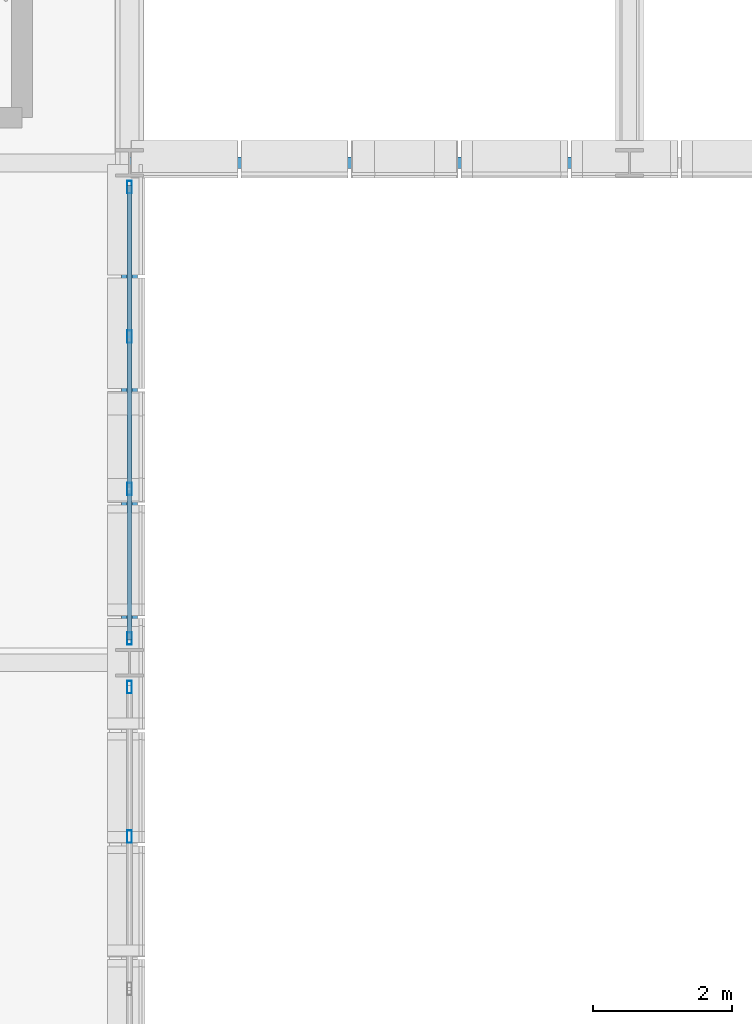
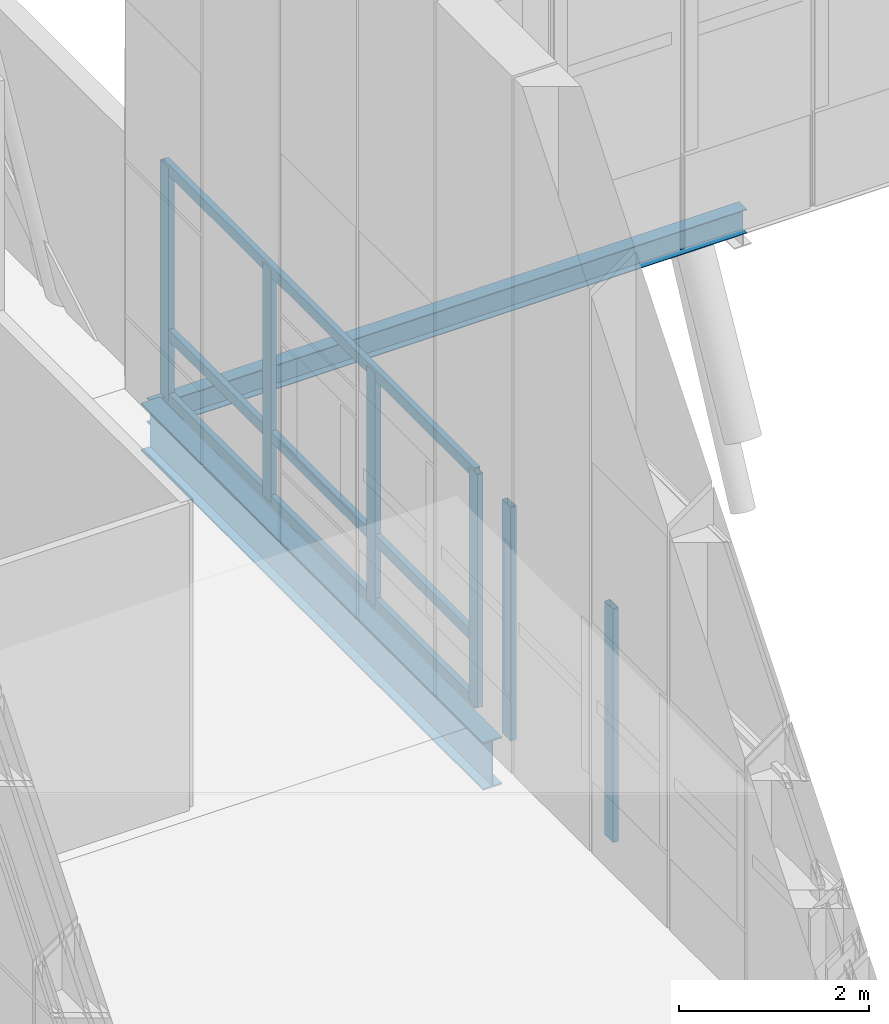
# One storey, part 22 of 144: 9 members, 2 beams, 2 elements without a shape of their own.
"""IFC4 building model written with IfcOpenShell, lengths in metres."""

import ifcopenshell
import ifcopenshell.guid

model = None  # the IFC model being written
_history = None  # IfcOwnerHistory: only IFC2X3 demands one
_inside = {}  # id of a spatial element -> (the spatial element, [elements in it])
_under = {}  # id of a project, library or spatial element -> (it, [spatial elements below it])
_declared = {}  # id of a project -> (the project, [libraries it declares])
_typed = {}  # id of a type object -> (the type object, [elements of that type])
_made_of = {}  # id of a material, layer set ... -> (it, [elements and type objects made of it])


def new_model(schema):
    """Start an empty IFC model of exactly this schema.

    Asked for "IFC4X3", IfcOpenShell would pick the latest addendum, in which some entities
    have other attributes; the version numbers below select the first issue.
    IFC2X3 requires an IfcOwnerHistory on every rooted entity: one is made here for all.
    """
    global model, _history
    if schema == "IFC4X3":
        model = ifcopenshell.file(schema_version=(4, 3, 0, 0))
    else:
        model = ifcopenshell.file(schema=schema)
    _inside.clear()
    _under.clear()
    _declared.clear()
    _typed.clear()
    _made_of.clear()
    _history = None
    if model.schema == "IFC2X3":
        org = make("IfcOrganization", Name="unknown")
        user = make(
            "IfcPersonAndOrganization",
            ThePerson=make("IfcPerson", FamilyName="unknown"),
            TheOrganization=org,
        )
        app = make(
            "IfcApplication",
            ApplicationDeveloper=org,
            Version="unknown",
            ApplicationFullName="unknown",
            ApplicationIdentifier="unknown",
        )
        _history = make(
            "IfcOwnerHistory",
            OwningUser=user,
            OwningApplication=app,
            ChangeAction="ADDED",
            CreationDate=0,
        )
    return model


def make(cls, **values):
    """One entity of the class cls with the attributes given. An attribute that is None is left unset."""
    return model.create_entity(
        cls, **{name: value for name, value in values.items() if value is not None}
    )


def rooted(cls, **values):
    """An entity with a GlobalId (a new one), such as an element, a storey or a relation."""
    return make(cls, GlobalId=ifcopenshell.guid.new(), OwnerHistory=_history, **values)


def si_unit(unit_type, name, prefix=None):
    """IfcSIUnit, for example si_unit("LENGTHUNIT", "METRE", prefix="MILLI")."""
    return make("IfcSIUnit", UnitType=unit_type, Prefix=prefix, Name=name)


def assignment(units):
    """IfcUnitAssignment: the units of a project."""
    return None if units is None else make("IfcUnitAssignment", Units=units)


def point(xyz):
    """IfcCartesianPoint."""
    return None if xyz is None else make("IfcCartesianPoint", Coordinates=xyz)


def direction(xyz):
    """IfcDirection."""
    return None if xyz is None else make("IfcDirection", DirectionRatios=xyz)


def frame(location, z_axis=None, x_axis=None):
    """IfcAxis2Placement3D, a coordinate frame: its origin and axes. An axis left out is left unset."""
    return make(
        "IfcAxis2Placement3D",
        Location=point(location),
        Axis=direction(z_axis),
        RefDirection=direction(x_axis),
    )


def frame_2d(location, x_axis=None):
    """IfcAxis2Placement2D, a coordinate frame in the plane: its origin and x axis."""
    return make(
        "IfcAxis2Placement2D", Location=point(location), RefDirection=direction(x_axis)
    )


def origin():
    """The frame at (0, 0, 0) with its axes left unset."""
    return frame((0.0, 0.0, 0.0))


def origin_2d():
    """The frame at (0, 0) in the plane with its x axis left unset."""
    return frame_2d((0.0, 0.0))


def place(relative_to, where):
    """IfcLocalPlacement: puts the frame where relative to a parent placement (None: the world)."""
    return make(
        "IfcLocalPlacement", PlacementRelTo=relative_to, RelativePlacement=where
    )


def context(
    kind, dimensions, precision=None, world=None, true_north=None, identifier=None
):
    """IfcGeometricRepresentationContext, for example the 3D "Model" context."""
    return make(
        "IfcGeometricRepresentationContext",
        ContextIdentifier=identifier,
        ContextType=kind,
        CoordinateSpaceDimension=dimensions,
        Precision=precision,
        WorldCoordinateSystem=world,
        TrueNorth=true_north,
    )


def subcontext(parent, identifier, kind, view, scale=None):
    """IfcGeometricRepresentationSubContext, for example "Body" below "Model"."""
    return make(
        "IfcGeometricRepresentationSubContext",
        ContextIdentifier=identifier,
        ContextType=kind,
        ParentContext=parent,
        TargetScale=scale,
        TargetView=view,
    )


def project(units=None, contexts=None):
    """IfcProject with its units and contexts."""
    return rooted(
        "IfcProject",
        Name="project",
        RepresentationContexts=contexts,
        UnitsInContext=assignment(units),
    )


def spatial(cls, under=None, at=None, **own):
    """A site, building, storey or space (cls), placed at a placement, below another one or the project."""
    s = rooted(cls, ObjectPlacement=at, **own)
    if under is not None:
        _under.setdefault(under.id(), (under, []))[1].append(s)
    return s


def profile(cls, at=None, kind="AREA", **sizes):
    """A parametric profile (cls). Its sizes go by their IFC names, for example OverallWidth=200.0."""
    return make(cls, ProfileType=kind, Position=at, **sizes)


def hollow_rectangle(**sizes):
    """IfcRectangleHollowProfileDef."""
    return profile("IfcRectangleHollowProfileDef", **sizes)


def i_section(**sizes):
    """IfcIShapeProfileDef."""
    return profile("IfcIShapeProfileDef", **sizes)


def extrude(swept, where, along, depth):
    """IfcExtrudedAreaSolid: the profile swept, set in the frame where, extruded along a direction by depth."""
    return make(
        "IfcExtrudedAreaSolid",
        SweptArea=swept,
        Position=where,
        ExtrudedDirection=direction(along),
        Depth=depth,
    )


def shape(context_of_items, identifier, shape_type, items):
    """IfcShapeRepresentation: the items that make up one representation, for example the "Body"."""
    return make(
        "IfcShapeRepresentation",
        ContextOfItems=context_of_items,
        RepresentationIdentifier=identifier,
        RepresentationType=shape_type,
        Items=items,
    )


def material(Name=None, Category=None):
    """IfcMaterial."""
    return make("IfcMaterial", Name=Name, Category=Category)


def material_profile(
    of_material, cross_section, Name=None, Category=None, Priority=None
):
    """IfcMaterialProfile: a cross section and its material."""
    return make(
        "IfcMaterialProfile",
        Name=Name,
        Material=of_material,
        Profile=cross_section,
        Priority=Priority,
        Category=Category,
    )


def profile_set(profiles, Name=None, composite=None):
    """IfcMaterialProfileSet."""
    return make(
        "IfcMaterialProfileSet",
        Name=Name,
        MaterialProfiles=profiles,
        CompositeProfile=composite,
    )


def made_of(thing, what):
    """Note that an element or type object is made of a material, layer set ...; save() writes the relation."""
    if what is not None:
        _made_of.setdefault(what.id(), (what, []))[1].append(thing)
    return thing


def type_object(cls, material=None, **own):
    """A type object (cls), such as IfcWallType, which elements share."""
    return made_of(rooted(cls, **own), material)


def element(
    cls,
    number,
    at=None,
    inside=None,
    cuts=None,
    type_object=None,
    material=None,
    context=None,
    identifier="Body",
    shape_type=None,
    held_by="IfcProductDefinitionShape",
    body=None,
    shapes=None,
    **own,
):
    """One element of the class cls, such as IfcWall. Its Tag is "e" and its number.

    at: its placement. inside: the storey or other place that contains it. cuts: it is an
    opening in that element (IfcRelVoidsElement). A single representation is given by context,
    identifier, shape_type and body (its items); several are given by shapes. held_by: the class
    of the entity that holds the representations. save() writes the other relations.
    """
    e = rooted(cls, Tag="e%d" % number, ObjectPlacement=at, **own)
    if body is not None:
        shapes = [shape(context, identifier, shape_type, body)]
    if shapes is not None:
        e.Representation = make(held_by, Representations=shapes)
    if inside is not None:
        _inside.setdefault(inside.id(), (inside, []))[1].append(e)
    if cuts is not None:
        rooted(
            "IfcRelVoidsElement", RelatingBuildingElement=cuts, RelatedOpeningElement=e
        )
    if type_object is not None:
        _typed.setdefault(type_object.id(), (type_object, []))[1].append(e)
    return made_of(e, material)


def aggregate(whole, parts):
    """IfcRelAggregates: a whole, such as a stair, and the parts it consists of."""
    return rooted("IfcRelAggregates", RelatingObject=whole, RelatedObjects=parts)


def save(model, path):
    """Write the relations noted so far, then the file.

    IfcRelAggregates (storeys below a building ...), IfcRelContainedInSpatialStructure (elements
    in a storey), IfcRelDefinesByType, IfcRelAssociatesMaterial and IfcRelDeclares: one each for
    every whole, place, type object, material and project.
    """
    for whole, parts in _under.values():
        aggregate(whole, parts)
    for where, things in _inside.values():
        rooted(
            "IfcRelContainedInSpatialStructure",
            RelatedElements=things,
            RelatingStructure=where,
        )
    for kind, things in _typed.values():
        rooted("IfcRelDefinesByType", RelatedObjects=things, RelatingType=kind)
    for what, things in _made_of.values():
        rooted("IfcRelAssociatesMaterial", RelatedObjects=things, RelatingMaterial=what)
    for by, libraries in _declared.values():
        rooted("IfcRelDeclares", RelatingContext=by, RelatedDefinitions=libraries)
    model.write(path)


model = new_model("IFC4")

# Units and contexts
model_context = context("Model", 3, precision=1e-05, world=origin(), true_north=direction((0.0, 1.0)))
body_context = subcontext(model_context, "Body", "Model", "MODEL_VIEW")
ifc_project = project(units=[si_unit("LENGTHUNIT", "METRE"), si_unit("AREAUNIT", "SQUARE_METRE"), si_unit("VOLUMEUNIT", "CUBIC_METRE"), si_unit("PLANEANGLEUNIT", "RADIAN"), si_unit("MASSUNIT", "GRAM", prefix="KILO")], contexts=[model_context])

# Site, building, storey
site_placement = place(None, origin())
site = spatial("IfcSite", under=ifc_project, at=site_placement, CompositionType="ELEMENT")
building_placement = place(site_placement, origin())
building = spatial("IfcBuilding", under=site, at=building_placement, Name="Yarey Park Central Fire Station", CompositionType="ELEMENT")
storey_placement = place(building_placement, frame((0.0, 0.0, 10.199951171875)))
storey = spatial("IfcBuildingStorey", under=building, at=storey_placement, Name="L03", CompositionType="ELEMENT", Elevation=10.199951171875)

# Curtain wall, members
ifc_material_1 = material(Name="Anodized Aluminium Frame", Category="aluminium")
curtain_wall_type = type_object("IfcCurtainWallType", Name="ENV_CW_V3_OVR1", PredefinedType="NOTDEFINED", material=ifc_material_1)
curtain_wall_1_placement = place(storey_placement, origin())
curtain_wall_1 = element("IfcCurtainWall", 1, at=curtain_wall_1_placement, inside=storey, type_object=curtain_wall_type, Name="CW_L03_V1_E_059", PredefinedType="NOTDEFINED")
ifc_material_profile_1 = material_profile(ifc_material_1, hollow_rectangle(XDim=0.070068359375, YDim=0.179931640625, WallThickness=0.00390625, at=origin_2d()), Name="ALU 180x70x4")
ifc_profile_set_1 = profile_set([ifc_material_profile_1], Name="Anodized Aluminium Frame")
member_type_1 = type_object("IfcMemberType", Name="ENV_CW_MULLION", PredefinedType="MULLION", material=ifc_profile_set_1)
member_1_placement = place(storey_placement, frame((57.60009765625, 47.896728515625, 0.0), z_axis=(0.0, 0.0, 1.0), x_axis=(1.0, 0.0, 0.0)))
member_1 = element("IfcMember", 2, at=member_1_placement, type_object=member_type_1, Name="CW_L03_V1_E_059_MUL3", PredefinedType="MULLION", context=body_context, shape_type="SweptSolid", body=[
    extrude(hollow_rectangle(XDim=0.070068359375, YDim=0.179931640625, WallThickness=0.00390625, at=origin_2d()), origin(), (0.0, 0.0, 1.0), 3.0),
])
member_2_placement = place(storey_placement, frame((57.60009765625, 50.050048828125, 0.0), z_axis=(0.0, 0.0, 1.0), x_axis=(1.0, 0.0, 0.0)))
member_2 = element("IfcMember", 3, at=member_2_placement, type_object=member_type_1, Name="CW_L03_V1_E_059_MUL4", PredefinedType="MULLION", context=body_context, shape_type="SweptSolid", body=[
    extrude(hollow_rectangle(XDim=0.070068359375, YDim=0.179931640625, WallThickness=0.00390625, at=origin_2d()), origin(), (0.0, 0.0, 1.0), 3.0),
])
aggregate(curtain_wall_1, [member_1, member_2])

curtain_wall_2_placement = place(storey_placement, origin())
curtain_wall_2 = element("IfcCurtainWall", 4, at=curtain_wall_2_placement, inside=storey, type_object=curtain_wall_type, Name="CW_L03_V1_E_060", PredefinedType="NOTDEFINED")
member_3_placement = place(storey_placement, frame((57.60009765625, 50.75, 0.0), z_axis=(0.0, 0.0, 1.0), x_axis=(1.0, 0.0, 0.0)))
member_3 = element("IfcMember", 5, at=member_3_placement, type_object=member_type_1, Name="CW_L03_V1_E_060_MUL1", PredefinedType="MULLION", context=body_context, shape_type="SweptSolid", body=[
    extrude(hollow_rectangle(XDim=0.070068359375, YDim=0.179931640625, WallThickness=0.00390625, at=origin_2d()), origin(), (0.0, 0.0, 1.0), 3.0),
])
member_4_placement = place(storey_placement, frame((57.60009765625, 52.9033203125, 0.0), z_axis=(0.0, 0.0, 1.0), x_axis=(1.0, 0.0, 0.0)))
member_4 = element("IfcMember", 6, at=member_4_placement, type_object=member_type_1, Name="CW_L03_V1_E_060_MUL2", PredefinedType="MULLION", context=body_context, shape_type="SweptSolid", body=[
    extrude(hollow_rectangle(XDim=0.070068359375, YDim=0.179931640625, WallThickness=0.00390625, at=origin_2d()), origin(), (0.0, 0.0, 1.0), 3.0),
])
member_5_placement = place(storey_placement, frame((57.60009765625, 55.0966796875, 0.0), z_axis=(0.0, 0.0, 1.0), x_axis=(1.0, 0.0, 0.0)))
member_5 = element("IfcMember", 7, at=member_5_placement, type_object=member_type_1, Name="CW_L03_V1_E_060_MUL3", PredefinedType="MULLION", context=body_context, shape_type="SweptSolid", body=[
    extrude(hollow_rectangle(XDim=0.070068359375, YDim=0.179931640625, WallThickness=0.00390625, at=origin_2d()), origin(), (0.0, 0.0, 1.0), 3.0),
])
member_6_placement = place(storey_placement, frame((57.60009765625, 57.25, 0.0), z_axis=(0.0, 0.0, 1.0), x_axis=(1.0, 0.0, 0.0)))
member_6 = element("IfcMember", 8, at=member_6_placement, type_object=member_type_1, Name="CW_L03_V1_E_060_MUL4", PredefinedType="MULLION", context=body_context, shape_type="SweptSolid", body=[
    extrude(hollow_rectangle(XDim=0.070068359375, YDim=0.179931640625, WallThickness=0.00390625, at=origin_2d()), origin(), (0.0, 0.0, 1.0), 3.0),
])
ifc_material_profile_2 = material_profile(ifc_material_1, hollow_rectangle(XDim=0.070068359375, YDim=0.139892578125, WallThickness=0.00390625, at=origin_2d()), Name="ALU 140x70x4")
ifc_profile_set_2 = profile_set([ifc_material_profile_2], Name="Anodized Aluminium Frame")
member_type_2 = type_object("IfcMemberType", Name="ENV_CW_TRANSOM", PredefinedType="USERDEFINED", material=ifc_profile_set_2)
member_7_placement = place(storey_placement, frame((57.60009765625, 50.72509765625, 0.025146484375), z_axis=(0.0, 1.0, 0.0), x_axis=(-1.0, 0.0, 0.0)))
member_7 = element("IfcMember", 9, at=member_7_placement, type_object=member_type_2, Name="CW_L03_V1_E_060_TRN1", ObjectType="TRANSOM", PredefinedType="USERDEFINED", context=body_context, shape_type="SweptSolid", body=[
    extrude(hollow_rectangle(XDim=0.070068359375, YDim=0.139892578125, WallThickness=0.00390625, at=origin_2d()), origin(), (0.0, 0.0, 1.0), 6.5498046875),
])
member_8_placement = place(storey_placement, frame((57.60009765625, 50.72509765625, 0.85009765625), z_axis=(0.0, 1.0, 0.0), x_axis=(-1.0, 0.0, 0.0)))
member_8 = element("IfcMember", 10, at=member_8_placement, type_object=member_type_2, Name="CW_L03_V1_E_060_TRN2", ObjectType="TRANSOM", PredefinedType="USERDEFINED", context=body_context, shape_type="SweptSolid", body=[
    extrude(hollow_rectangle(XDim=0.070068359375, YDim=0.139892578125, WallThickness=0.00390625, at=origin_2d()), origin(), (0.0, 0.0, 1.0), 6.5498046875),
])
member_9_placement = place(storey_placement, frame((57.60009765625, 50.72509765625, 2.97509765625), z_axis=(0.0, 1.0, 0.0), x_axis=(-1.0, 0.0, 0.0)))
member_9 = element("IfcMember", 11, at=member_9_placement, type_object=member_type_2, Name="CW_L03_V1_E_060_TRN3", ObjectType="TRANSOM", PredefinedType="USERDEFINED", context=body_context, shape_type="SweptSolid", body=[
    extrude(hollow_rectangle(XDim=0.070068359375, YDim=0.139892578125, WallThickness=0.00390625, at=origin_2d()), origin(), (0.0, 0.0, 1.0), 6.5498046875),
])
aggregate(curtain_wall_2, [member_3, member_4, member_5, member_6, member_7, member_8, member_9])

# Beams
ifc_material_2 = material(Name="Steel ASTM A992 Gr. 50", Category="steel")
ifc_material_profile_3 = material_profile(ifc_material_2, i_section(OverallWidth=0.22900390625, OverallDepth=0.612060546875, WebThickness=0.011962890625, FlangeThickness=0.01953125, at=origin_2d()), Name="W610x125")
ifc_profile_set_3 = profile_set([ifc_material_profile_3], Name="Steel ASTM A992 Gr. 50")
beam_type_1 = type_object("IfcBeamType", Name="STR_BM_W610", PredefinedType="BEAM", material=ifc_profile_set_3)
beam_1_placement = place(storey_placement, frame((57.60009765625, 50.39990234375, -0.56591796875), z_axis=(0.0, 1.0, 0.0), x_axis=(-1.0, 0.0, 0.0)))
element("IfcBeam", 12, at=beam_1_placement, inside=storey, type_object=beam_type_1, Name="BMY L03 X576 Y504", PredefinedType="BEAM", context=body_context, shape_type="SweptSolid", body=[
    extrude(i_section(OverallWidth=0.22900390625, OverallDepth=0.612060546875, WebThickness=0.011962890625, FlangeThickness=0.01953125, at=origin_2d()), origin(), (0.0, 0.0, 1.0), 7.2001953125),
])
ifc_material_profile_4 = material_profile(ifc_material_2, i_section(OverallWidth=0.1650390625, OverallDepth=0.31005859375, WebThickness=0.005859375, FlangeThickness=0.009765625, at=origin_2d()), Name="W310x39")
ifc_profile_set_4 = profile_set([ifc_material_profile_4], Name="Steel ASTM A992 Gr. 50")
beam_type_2 = type_object("IfcBeamType", Name="STR_SPN_W310", PredefinedType="SPANDREL", material=ifc_profile_set_4)
beam_2_placement = place(storey_placement, frame((57.60009765625, 57.60009765625, -0.43505859375), z_axis=(1.0, 0.0, 0.0), x_axis=(0.0, 1.0, 0.0)))
element("IfcBeam", 13, at=beam_2_placement, inside=storey, type_object=beam_type_2, Name="V2 BOX GIRT S B1 01", PredefinedType="SPANDREL", context=body_context, shape_type="SweptSolid", body=[
    extrude(i_section(OverallWidth=0.1650390625, OverallDepth=0.31005859375, WebThickness=0.005859375, FlangeThickness=0.009765625, at=origin_2d()), origin(), (0.0, 0.0, 1.0), 7.199951171875),
])

save(model, "model.ifc")
